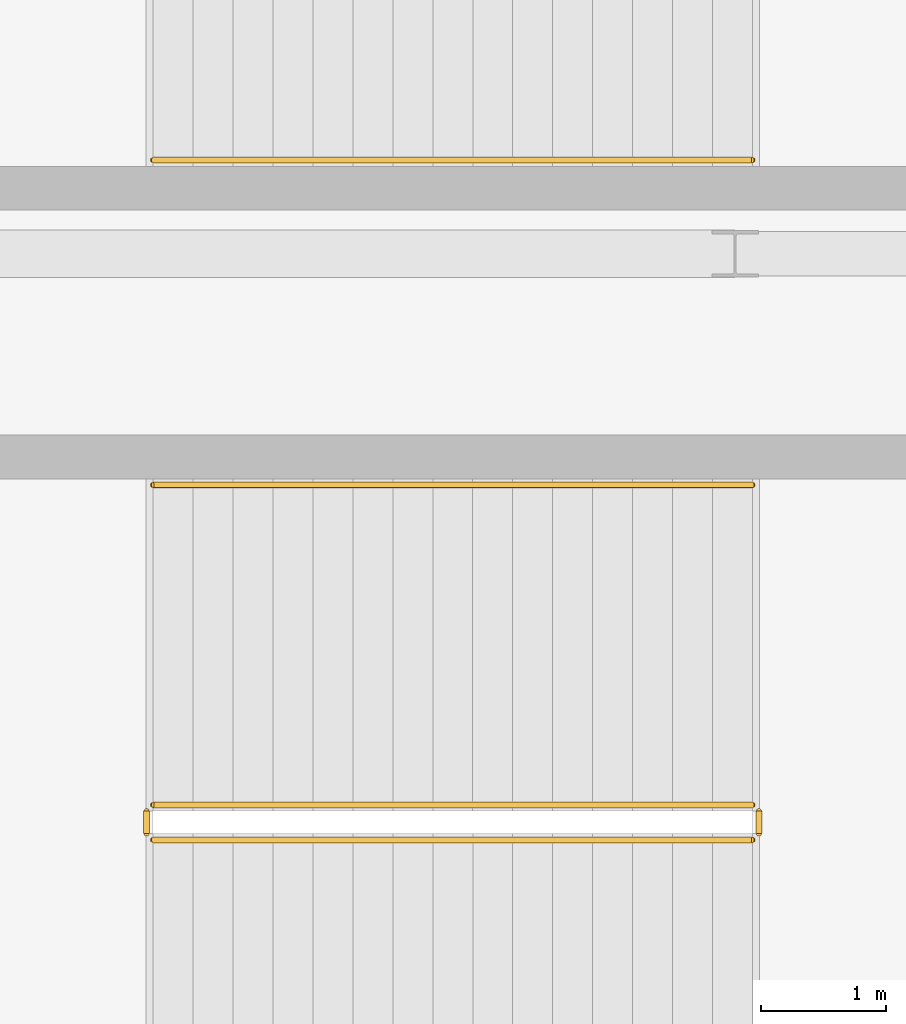
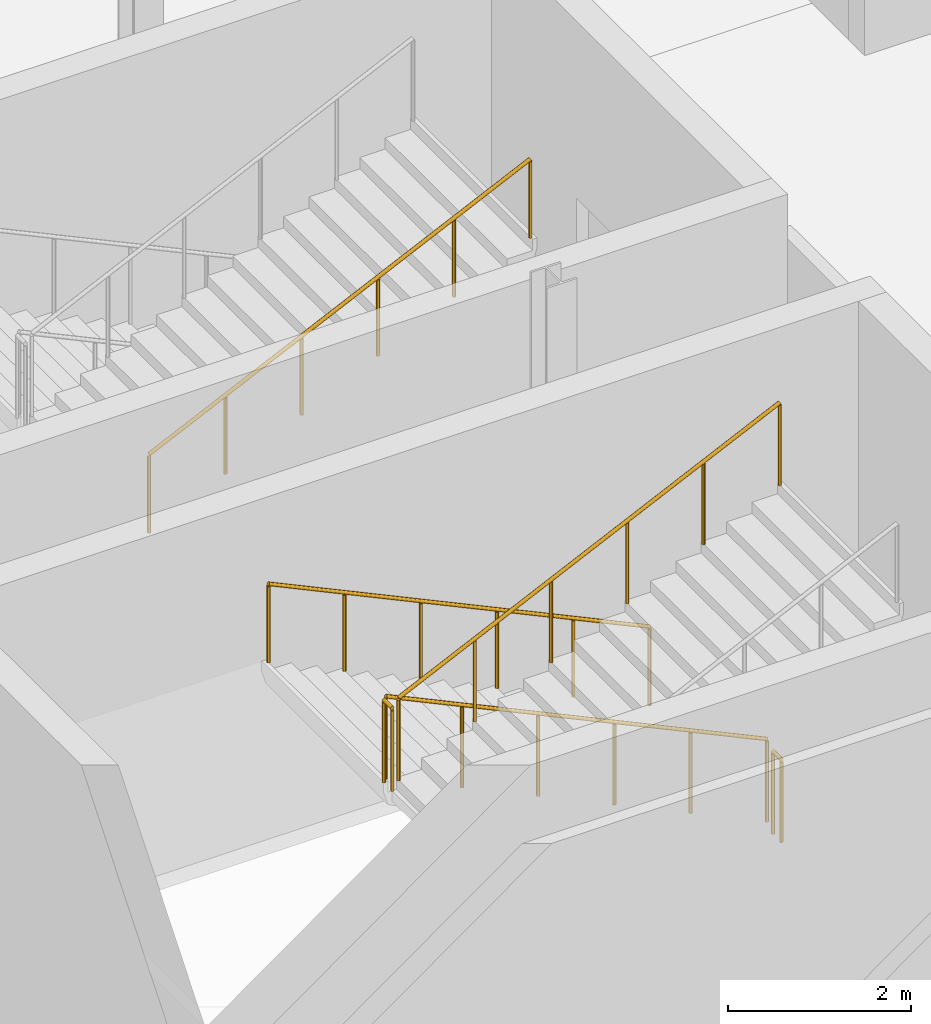
# One storey, part 45 of 50: 6 railings.
"""IFC4 building model written with IfcOpenShell, lengths in metres."""

from ifc_helpers import new_model, si_unit, direction, frame, origin, origin_2d, place, context, subcontext, project, spatial, circle, extrude, material, type_object, element, save


model = new_model("IFC4")

# Units and contexts
model_context = context("Model", 3, precision=1e-05, world=origin(), true_north=direction((0.0, 1.0)))
body_context = subcontext(model_context, "Body", "Model", "MODEL_VIEW")
ifc_project = project(units=[si_unit("LENGTHUNIT", "METRE"), si_unit("AREAUNIT", "SQUARE_METRE"), si_unit("VOLUMEUNIT", "CUBIC_METRE"), si_unit("PLANEANGLEUNIT", "RADIAN"), si_unit("MASSUNIT", "GRAM", prefix="KILO")], contexts=[model_context])

# Site, building, storey
site_placement = place(None, origin())
site = spatial("IfcSite", under=ifc_project, at=site_placement, CompositionType="ELEMENT")
building_placement = place(site_placement, origin())
building = spatial("IfcBuilding", under=site, at=building_placement, Name="Qamarlyn Nura Convention Centre", CompositionType="ELEMENT")
storey_placement = place(building_placement, frame((0.0, 0.0, 20.39990234375)))
storey = spatial("IfcBuildingStorey", under=building, at=storey_placement, Name="L04", CompositionType="ELEMENT", Elevation=20.39990234375)

# Railings
ifc_material = material(Name="Marine Grade 316 stainless steel", Category="steel")
railing_type_1 = type_object("IfcRailingType", Name="GRD-STAIR-112", PredefinedType="BALUSTRADE", material=ifc_material)
railing_1_placement = place(storey_placement, frame((171.139892578125, 58.590087890625, 0.150146484375)))
element("IfcRailing", 1, at=railing_1_placement, inside=storey, type_object=railing_type_1, Name="L04 ST-11 stair guard 1", PredefinedType="BALUSTRADE", context=body_context, shape_type="SweptSolid", body=[
    extrude(circle(Radius=0.02392578125, at=origin_2d()), frame((0.0, 0.0, 1.09619140625), z_axis=(-0.905452298538, 0.0, 0.424448035774), x_axis=(0.0, -1.0, 0.0)), (0.0, 0.0, 1.0), 5.301025390625),
    extrude(circle(Radius=0.02099609375, at=origin_2d()), origin(), (0.0, 0.0, 1.0), 1.070068359375),
    extrude(circle(Radius=0.02099609375, at=origin_2d()), frame((-0.9599609375, 0.0, 0.449951171875)), (0.0, 0.0, 1.0), 1.070068359375),
    extrude(circle(Radius=0.02099609375, at=origin_2d()), frame((-1.919921875, 0.0, 0.89990234375)), (0.0, 0.0, 1.0), 1.070068359375),
    extrude(circle(Radius=0.02099609375, at=origin_2d()), frame((-2.8798828125, 0.0, 1.35009765625)), (0.0, 0.0, 1.0), 1.070068359375),
    extrude(circle(Radius=0.02099609375, at=origin_2d()), frame((-3.83984375, 0.0, 1.800048828125)), (0.0, 0.0, 1.0), 1.070068359375),
    extrude(circle(Radius=0.02099609375, at=origin_2d()), frame((-4.7998046875, 0.0, 2.25)), (0.0, 0.0, 1.0), 1.070068359375),
])
railing_2_placement = place(storey_placement, frame((166.2900390625, 58.5400390625, 2.400146484375)))
element("IfcRailing", 2, at=railing_2_placement, inside=storey, type_object=railing_type_1, Name="L04 ST-11 stair guard 2", PredefinedType="BALUSTRADE", context=body_context, shape_type="SweptSolid", body=[
    extrude(circle(Radius=0.02392578125, at=origin_2d()), frame((0.0, 0.0, 1.09619140625), z_axis=(0.0, -1.0, 0.0), x_axis=(1.0, 0.0, 0.0)), (0.0, 0.0, 1.0), 0.179931640625),
    extrude(circle(Radius=0.02099609375, at=origin_2d()), origin(), (0.0, 0.0, 1.0), 1.070068359375),
    extrude(circle(Radius=0.02099609375, at=origin_2d()), frame((0.0, -0.179931640625, 0.0)), (0.0, 0.0, 1.0), 1.070068359375),
])
railing_3_placement = place(storey_placement, frame((166.340087890625, 58.31005859375, 2.550048828125)))
element("IfcRailing", 3, at=railing_3_placement, inside=storey, type_object=railing_type_1, Name="L04 ST-11 stair guard 3", PredefinedType="BALUSTRADE", context=body_context, shape_type="SweptSolid", body=[
    extrude(circle(Radius=0.02392578125, at=origin_2d()), frame((0.0, 0.0, 1.09619140625), z_axis=(0.905452298538, 0.0, 0.424448035774), x_axis=(0.0, 1.0, 0.0)), (0.0, 0.0, 1.0), 5.301025390625),
    extrude(circle(Radius=0.02099609375, at=origin_2d()), origin(), (0.0, 0.0, 1.0), 1.070068359375),
    extrude(circle(Radius=0.02099609375, at=origin_2d()), frame((0.9599609375, 0.0, 0.449951171875)), (0.0, 0.0, 1.0), 1.070068359375),
    extrude(circle(Radius=0.02099609375, at=origin_2d()), frame((1.919921875, 0.0, 0.89990234375)), (0.0, 0.0, 1.0), 1.070068359375),
    extrude(circle(Radius=0.02099609375, at=origin_2d()), frame((2.8798828125, 0.0, 1.35009765625)), (0.0, 0.0, 1.0), 1.070068359375),
    extrude(circle(Radius=0.02099609375, at=origin_2d()), frame((3.83984375, 0.0, 1.800048828125)), (0.0, 0.0, 1.0), 1.070068359375),
    extrude(circle(Radius=0.02099609375, at=origin_2d()), frame((4.7998046875, 0.0, 2.25)), (0.0, 0.0, 1.0), 1.070068359375),
])
railing_4_placement = place(storey_placement, frame((171.18994140625, 58.5400390625, 0.0)))
element("IfcRailing", 4, at=railing_4_placement, inside=storey, type_object=railing_type_1, Name="L04 ST-11 stair guard 4", PredefinedType="BALUSTRADE", context=body_context, shape_type="SweptSolid", body=[
    extrude(circle(Radius=0.02392578125, at=origin_2d()), frame((0.0, 0.0, 1.09619140625), z_axis=(0.0, -1.0, 0.0), x_axis=(1.0, 0.0, 0.0)), (0.0, 0.0, 1.0), 0.179931640625),
    extrude(circle(Radius=0.02099609375, at=origin_2d()), origin(), (0.0, 0.0, 1.0), 1.070068359375),
    extrude(circle(Radius=0.02099609375, at=origin_2d()), frame((0.0, -0.179931640625, 0.0)), (0.0, 0.0, 1.0), 1.070068359375),
])
railing_type_2 = type_object("IfcRailingType", Name="HRL-STAIR-090", PredefinedType="HANDRAIL", material=ifc_material)
railing_5_placement = place(storey_placement, frame((171.139892578125, 61.14990234375, 0.302490234375)))
element("IfcRailing", 5, at=railing_5_placement, inside=storey, type_object=railing_type_2, Name="L04 ST-11 stair handrail 1", PredefinedType="HANDRAIL", context=body_context, shape_type="SweptSolid", body=[
    extrude(circle(Radius=0.02392578125, at=origin_2d()), frame((0.0, 0.0, 0.88818359375), z_axis=(-0.905452298538, 0.0, 0.424448035774), x_axis=(0.0, -1.0, 0.0)), (0.0, 0.0, 1.0), 5.301025390625),
    extrude(circle(Radius=0.02099609375, at=origin_2d()), frame((0.0, 0.0, -0.155029296875)), (0.0, 0.0, 1.0), 1.01708984375),
    extrude(circle(Radius=0.02099609375, at=origin_2d()), frame((-0.9599609375, 0.0, 0.294921875)), (0.0, 0.0, 1.0), 1.01708984375),
    extrude(circle(Radius=0.02099609375, at=origin_2d()), frame((-1.919921875, 0.0, 0.744873046875)), (0.0, 0.0, 1.0), 1.01708984375),
    extrude(circle(Radius=0.02099609375, at=origin_2d()), frame((-2.8798828125, 0.0, 1.195068359375)), (0.0, 0.0, 1.0), 1.01708984375),
    extrude(circle(Radius=0.02099609375, at=origin_2d()), frame((-3.83984375, 0.0, 1.64501953125)), (0.0, 0.0, 1.0), 1.01708984375),
    extrude(circle(Radius=0.02099609375, at=origin_2d()), frame((-4.7998046875, 0.0, 2.094970703125)), (0.0, 0.0, 1.0), 1.01708984375),
])
railing_6_placement = place(storey_placement, frame((166.340087890625, 63.75, 2.702392578125)))
element("IfcRailing", 6, at=railing_6_placement, inside=storey, type_object=railing_type_2, Name="L04 ST-12 stair handrail 2", PredefinedType="HANDRAIL", context=body_context, shape_type="SweptSolid", body=[
    extrude(circle(Radius=0.02392578125, at=origin_2d()), frame((0.0, 0.0, 0.88818359375), z_axis=(0.905452298538, 0.0, 0.424448035774), x_axis=(0.0, 1.0, 0.0)), (0.0, 0.0, 1.0), 5.301025390625),
    extrude(circle(Radius=0.02099609375, at=origin_2d()), frame((0.0, 0.0, -0.155029296875)), (0.0, 0.0, 1.0), 1.01708984375),
    extrude(circle(Radius=0.02099609375, at=origin_2d()), frame((0.9599609375, 0.0, 0.294921875)), (0.0, 0.0, 1.0), 1.01708984375),
    extrude(circle(Radius=0.02099609375, at=origin_2d()), frame((1.919921875, 0.0, 0.744873046875)), (0.0, 0.0, 1.0), 1.01708984375),
    extrude(circle(Radius=0.02099609375, at=origin_2d()), frame((2.8798828125, 0.0, 1.195068359375)), (0.0, 0.0, 1.0), 1.01708984375),
    extrude(circle(Radius=0.02099609375, at=origin_2d()), frame((3.83984375, 0.0, 1.64501953125)), (0.0, 0.0, 1.0), 1.01708984375),
    extrude(circle(Radius=0.02099609375, at=origin_2d()), frame((4.7998046875, 0.0, 2.094970703125)), (0.0, 0.0, 1.0), 1.01708984375),
])

save(model, "model.ifc")
